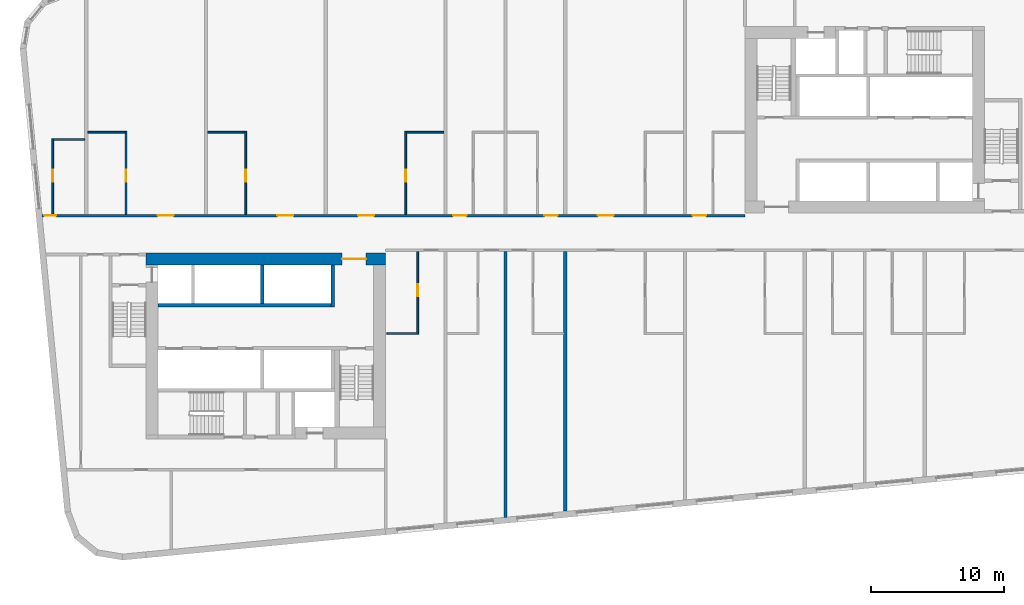
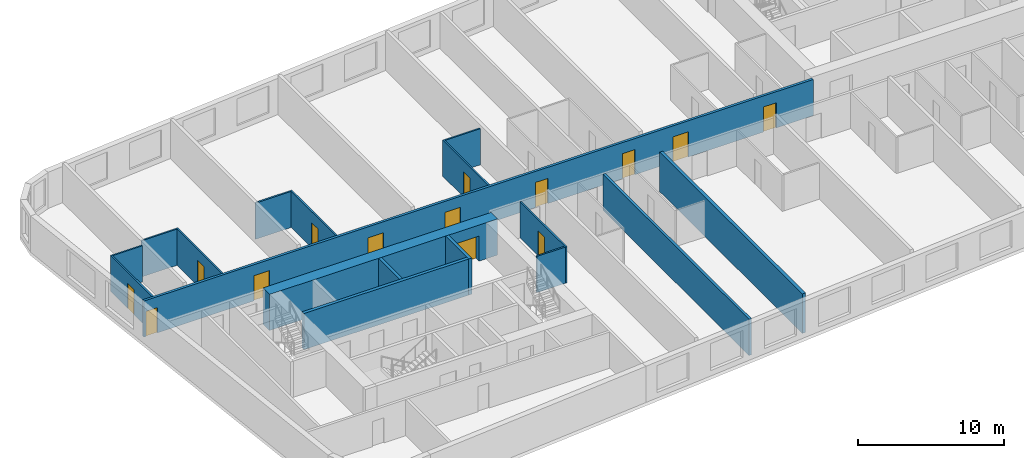
# One storey, part 3 of 12: 17 walls, 14 doors, 14 openings.
"""IFC4 building model written with IfcOpenShell, lengths in metres."""

import ifcopenshell
import ifcopenshell.guid

model = None  # the IFC model being written
_history = None  # IfcOwnerHistory: only IFC2X3 demands one
_inside = {}  # id of a spatial element -> (the spatial element, [elements in it])
_under = {}  # id of a project, library or spatial element -> (it, [spatial elements below it])
_declared = {}  # id of a project -> (the project, [libraries it declares])
_typed = {}  # id of a type object -> (the type object, [elements of that type])
_made_of = {}  # id of a material, layer set ... -> (it, [elements and type objects made of it])


def new_model(schema):
    """Start an empty IFC model of exactly this schema.

    Asked for "IFC4X3", IfcOpenShell would pick the latest addendum, in which some entities
    have other attributes; the version numbers below select the first issue.
    IFC2X3 requires an IfcOwnerHistory on every rooted entity: one is made here for all.
    """
    global model, _history
    if schema == "IFC4X3":
        model = ifcopenshell.file(schema_version=(4, 3, 0, 0))
    else:
        model = ifcopenshell.file(schema=schema)
    _inside.clear()
    _under.clear()
    _declared.clear()
    _typed.clear()
    _made_of.clear()
    _history = None
    if model.schema == "IFC2X3":
        org = make("IfcOrganization", Name="unknown")
        user = make(
            "IfcPersonAndOrganization",
            ThePerson=make("IfcPerson", FamilyName="unknown"),
            TheOrganization=org,
        )
        app = make(
            "IfcApplication",
            ApplicationDeveloper=org,
            Version="unknown",
            ApplicationFullName="unknown",
            ApplicationIdentifier="unknown",
        )
        _history = make(
            "IfcOwnerHistory",
            OwningUser=user,
            OwningApplication=app,
            ChangeAction="ADDED",
            CreationDate=0,
        )
    return model


def make(cls, **values):
    """One entity of the class cls with the attributes given. An attribute that is None is left unset."""
    return model.create_entity(
        cls, **{name: value for name, value in values.items() if value is not None}
    )


def rooted(cls, **values):
    """An entity with a GlobalId (a new one), such as an element, a storey or a relation."""
    return make(cls, GlobalId=ifcopenshell.guid.new(), OwnerHistory=_history, **values)


def si_unit(unit_type, name, prefix=None):
    """IfcSIUnit, for example si_unit("LENGTHUNIT", "METRE", prefix="MILLI")."""
    return make("IfcSIUnit", UnitType=unit_type, Prefix=prefix, Name=name)


def assignment(units):
    """IfcUnitAssignment: the units of a project."""
    return None if units is None else make("IfcUnitAssignment", Units=units)


def point(xyz):
    """IfcCartesianPoint."""
    return None if xyz is None else make("IfcCartesianPoint", Coordinates=xyz)


def direction(xyz):
    """IfcDirection."""
    return None if xyz is None else make("IfcDirection", DirectionRatios=xyz)


def frame(location, z_axis=None, x_axis=None):
    """IfcAxis2Placement3D, a coordinate frame: its origin and axes. An axis left out is left unset."""
    return make(
        "IfcAxis2Placement3D",
        Location=point(location),
        Axis=direction(z_axis),
        RefDirection=direction(x_axis),
    )


def frame_2d(location, x_axis=None):
    """IfcAxis2Placement2D, a coordinate frame in the plane: its origin and x axis."""
    return make(
        "IfcAxis2Placement2D", Location=point(location), RefDirection=direction(x_axis)
    )


def origin():
    """The frame at (0, 0, 0) with its axes left unset."""
    return frame((0.0, 0.0, 0.0))


def place(relative_to, where):
    """IfcLocalPlacement: puts the frame where relative to a parent placement (None: the world)."""
    return make(
        "IfcLocalPlacement", PlacementRelTo=relative_to, RelativePlacement=where
    )


def context(
    kind, dimensions, precision=None, world=None, true_north=None, identifier=None
):
    """IfcGeometricRepresentationContext, for example the 3D "Model" context."""
    return make(
        "IfcGeometricRepresentationContext",
        ContextIdentifier=identifier,
        ContextType=kind,
        CoordinateSpaceDimension=dimensions,
        Precision=precision,
        WorldCoordinateSystem=world,
        TrueNorth=true_north,
    )


def subcontext(parent, identifier, kind, view, scale=None):
    """IfcGeometricRepresentationSubContext, for example "Body" below "Model"."""
    return make(
        "IfcGeometricRepresentationSubContext",
        ContextIdentifier=identifier,
        ContextType=kind,
        ParentContext=parent,
        TargetScale=scale,
        TargetView=view,
    )


def project(units=None, contexts=None):
    """IfcProject with its units and contexts."""
    return rooted(
        "IfcProject",
        Name="project",
        RepresentationContexts=contexts,
        UnitsInContext=assignment(units),
    )


def spatial(cls, under=None, at=None, **own):
    """A site, building, storey or space (cls), placed at a placement, below another one or the project."""
    s = rooted(cls, ObjectPlacement=at, **own)
    if under is not None:
        _under.setdefault(under.id(), (under, []))[1].append(s)
    return s


def profile(cls, at=None, kind="AREA", **sizes):
    """A parametric profile (cls). Its sizes go by their IFC names, for example OverallWidth=200.0."""
    return make(cls, ProfileType=kind, Position=at, **sizes)


def rectangle(**sizes):
    """IfcRectangleProfileDef."""
    return profile("IfcRectangleProfileDef", **sizes)


def extrude(swept, where, along, depth):
    """IfcExtrudedAreaSolid: the profile swept, set in the frame where, extruded along a direction by depth."""
    return make(
        "IfcExtrudedAreaSolid",
        SweptArea=swept,
        Position=where,
        ExtrudedDirection=direction(along),
        Depth=depth,
    )


def shape(context_of_items, identifier, shape_type, items):
    """IfcShapeRepresentation: the items that make up one representation, for example the "Body"."""
    return make(
        "IfcShapeRepresentation",
        ContextOfItems=context_of_items,
        RepresentationIdentifier=identifier,
        RepresentationType=shape_type,
        Items=items,
    )


def material(Name=None, Category=None):
    """IfcMaterial."""
    return make("IfcMaterial", Name=Name, Category=Category)


def layer(
    of_material, thickness, ventilated=None, Name=None, Category=None, Priority=None
):
    """IfcMaterialLayer: one layer of a wall or slab, of a material (None: an air gap)."""
    return make(
        "IfcMaterialLayer",
        Material=of_material,
        LayerThickness=thickness,
        IsVentilated=ventilated,
        Name=Name,
        Category=Category,
        Priority=Priority,
    )


def layer_set(layers, Name=None):
    """IfcMaterialLayerSet."""
    return make("IfcMaterialLayerSet", MaterialLayers=layers, LayerSetName=Name)


def made_of(thing, what):
    """Note that an element or type object is made of a material, layer set ...; save() writes the relation."""
    if what is not None:
        _made_of.setdefault(what.id(), (what, []))[1].append(thing)
    return thing


def type_object(cls, material=None, **own):
    """A type object (cls), such as IfcWallType, which elements share."""
    return made_of(rooted(cls, **own), material)


def element(
    cls,
    number,
    at=None,
    inside=None,
    cuts=None,
    type_object=None,
    material=None,
    context=None,
    identifier="Body",
    shape_type=None,
    held_by="IfcProductDefinitionShape",
    body=None,
    shapes=None,
    **own,
):
    """One element of the class cls, such as IfcWall. Its Tag is "e" and its number.

    at: its placement. inside: the storey or other place that contains it. cuts: it is an
    opening in that element (IfcRelVoidsElement). A single representation is given by context,
    identifier, shape_type and body (its items); several are given by shapes. held_by: the class
    of the entity that holds the representations. save() writes the other relations.
    """
    e = rooted(cls, Tag="e%d" % number, ObjectPlacement=at, **own)
    if body is not None:
        shapes = [shape(context, identifier, shape_type, body)]
    if shapes is not None:
        e.Representation = make(held_by, Representations=shapes)
    if inside is not None:
        _inside.setdefault(inside.id(), (inside, []))[1].append(e)
    if cuts is not None:
        rooted(
            "IfcRelVoidsElement", RelatingBuildingElement=cuts, RelatedOpeningElement=e
        )
    if type_object is not None:
        _typed.setdefault(type_object.id(), (type_object, []))[1].append(e)
    return made_of(e, material)


def fill(opening, filler):
    """IfcRelFillsElement: the door or window that sits in an opening."""
    return rooted(
        "IfcRelFillsElement",
        RelatingOpeningElement=opening,
        RelatedBuildingElement=filler,
    )


def aggregate(whole, parts):
    """IfcRelAggregates: a whole, such as a stair, and the parts it consists of."""
    return rooted("IfcRelAggregates", RelatingObject=whole, RelatedObjects=parts)


def save(model, path):
    """Write the relations noted so far, then the file.

    IfcRelAggregates (storeys below a building ...), IfcRelContainedInSpatialStructure (elements
    in a storey), IfcRelDefinesByType, IfcRelAssociatesMaterial and IfcRelDeclares: one each for
    every whole, place, type object, material and project.
    """
    for whole, parts in _under.values():
        aggregate(whole, parts)
    for where, things in _inside.values():
        rooted(
            "IfcRelContainedInSpatialStructure",
            RelatedElements=things,
            RelatingStructure=where,
        )
    for kind, things in _typed.values():
        rooted("IfcRelDefinesByType", RelatedObjects=things, RelatingType=kind)
    for what, things in _made_of.values():
        rooted("IfcRelAssociatesMaterial", RelatedObjects=things, RelatingMaterial=what)
    for by, libraries in _declared.values():
        rooted("IfcRelDeclares", RelatingContext=by, RelatedDefinitions=libraries)
    model.write(path)


model = new_model("IFC4")

# Units and contexts
model_context = context("Model", 3, precision=1e-05, world=origin(), true_north=direction((0.0, 1.0)))
body_context = subcontext(model_context, "Body", "Model", "MODEL_VIEW")
ifc_project = project(units=[si_unit("LENGTHUNIT", "METRE"), si_unit("AREAUNIT", "SQUARE_METRE"), si_unit("VOLUMEUNIT", "CUBIC_METRE"), si_unit("PLANEANGLEUNIT", "RADIAN"), si_unit("MASSUNIT", "GRAM", prefix="KILO")], contexts=[model_context])

# Site, building, storey
site_placement = place(None, origin())
site = spatial("IfcSite", under=ifc_project, at=site_placement, CompositionType="ELEMENT")
building_placement = place(site_placement, origin())
building = spatial("IfcBuilding", under=site, at=building_placement, Name="Kajstack Hotel Tower", CompositionType="ELEMENT")
storey_placement = place(building_placement, frame((0.0, 0.0, 137.199951171875)))
storey = spatial("IfcBuildingStorey", under=building, at=storey_placement, Name="L31", CompositionType="ELEMENT", Elevation=137.199951171875)

# Wall, opening, door
ifc_material_1 = material(Name="Concrete C60/75", Category="concrete")
ifc_layer_1 = layer(ifc_material_1, 0.89990234375)
ifc_layer_set_1 = layer_set([ifc_layer_1], Name="Core wall 900")
wall_type_1 = type_object("IfcWallType", Name="Core wall 900", PredefinedType="SHEAR", material=ifc_layer_set_1)
wall_1_placement = place(storey_placement, frame((-31.5, -1.949951171875, 0.0), z_axis=(0.0, 0.0, 1.0), x_axis=(1.0, 0.0, 0.0)))
wall_1 = element("IfcWall", 1, at=wall_1_placement, inside=storey, type_object=wall_type_1, Name="Core wall W RN", PredefinedType="SHEAR", context=body_context, shape_type="SweptSolid", body=[
    extrude(rectangle(XDim=18.0, YDim=0.89990234375, at=frame_2d((9.0, 0.0))), origin(), (0.0, 0.0, 1.0), 3.02001953125),
])
opening_1_placement = place(wall_1_placement, frame((14.72509765625, 0.0, 0.0)))
opening_1 = element("IfcOpeningElement", 2, at=opening_1_placement, cuts=wall_1, Name="Opening 31W06", PredefinedType="OPENING", context=body_context, shape_type="SweptSolid", body=[
    extrude(rectangle(XDim=1.800048828125, YDim=2.10009765625, at=frame_2d((0.89990234375, 1.050048828125))), frame((0.0, 0.4599609375, 0.0), z_axis=(0.0, -1.0, 0.0), x_axis=(1.0, 0.0, 0.0)), (0.0, 0.0, 1.0), 0.919921875),
])
ifc_material_2 = material(Name="Glazed steel frame, fire-rated glass", Category="steel")
door_type_1 = type_object("IfcDoorType", Name="Lobby double door 1800", OperationType="DOUBLE_DOOR_DOUBLE_SWING", PredefinedType="DOOR", material=ifc_material_2)
door_1_placement = place(opening_1_placement, origin())
door_1 = element("IfcDoor", 3, at=door_1_placement, inside=storey, type_object=door_type_1, Name="Door 31W06", OperationType="DOUBLE_DOOR_DOUBLE_SWING", OverallHeight=2.10009765625, OverallWidth=1.800048828125, PredefinedType="DOOR", context=body_context, shape_type="SweptSolid", body=[
    extrude(rectangle(XDim=1.800048828125, YDim=2.10009765625, at=frame_2d((0.89990234375, 1.050048828125))), frame((0.0, 0.02490234375, 0.0), z_axis=(0.0, -1.0, 0.0), x_axis=(1.0, 0.0, 0.0)), (0.0, 0.0, 1.0), 0.050048828125),
])
fill(opening_1, door_1)

# Wall, openings, doors
ifc_material_3 = material(Name="Gypsum board on steel studs, mineral wool", Category="steel")
ifc_layer_2 = layer(ifc_material_3, 0.199951171875)
ifc_layer_set_2 = layer_set([ifc_layer_2], Name="Corridor wall 200")
wall_type_2 = type_object("IfcWallType", Name="Corridor wall 200", PredefinedType="PARTITIONING", material=ifc_layer_set_2)
wall_2_placement = place(storey_placement, frame((-39.31591796875, 1.300048828125, 0.0), z_axis=(0.0, 0.0, 1.0), x_axis=(1.0, 0.0, 0.0)))
wall_2 = element("IfcWall", 4, at=wall_2_placement, inside=storey, type_object=wall_type_2, Name="G-wall-L31-003", PredefinedType="PARTITIONING", context=body_context, shape_type="SweptSolid", body=[
    extrude(rectangle(XDim=52.81591796875, YDim=0.199951171875, at=frame_2d((26.407958984375, 0.0))), origin(), (0.0, 0.0, 1.0), 3.02001953125),
])
opening_2_placement = place(wall_2_placement, frame((0.14990234375, 0.0, 0.0)))
opening_2 = element("IfcOpeningElement", 5, at=opening_2_placement, cuts=wall_2, Name="Opening 31001", PredefinedType="OPENING", context=body_context, shape_type="SweptSolid", body=[
    extrude(rectangle(XDim=0.89990234375, YDim=2.10009765625, at=frame_2d((0.449951171875, 1.050048828125))), frame((0.0, 0.10986328125, 0.0), z_axis=(0.0, -1.0, 0.0), x_axis=(1.0, 0.0, 0.0)), (0.0, 0.0, 1.0), 0.219970703125),
])
opening_3_placement = place(wall_2_placement, frame((8.678955078125, 0.0, 0.0)))
opening_3 = element("IfcOpeningElement", 6, at=opening_3_placement, cuts=wall_2, Name="Opening 31003", PredefinedType="OPENING", context=body_context, shape_type="SweptSolid", body=[
    extrude(rectangle(XDim=1.199951171875, YDim=2.10009765625, at=frame_2d((0.60009765625, 1.050048828125))), frame((0.0, 0.10986328125, 0.0), z_axis=(0.0, -1.0, 0.0), x_axis=(1.0, 0.0, 0.0)), (0.0, 0.0, 1.0), 0.219970703125),
])
opening_4_placement = place(wall_2_placement, frame((17.677978515625, 0.0, 0.0)))
opening_4 = element("IfcOpeningElement", 7, at=opening_4_placement, cuts=wall_2, Name="Opening 31005", PredefinedType="OPENING", context=body_context, shape_type="SweptSolid", body=[
    extrude(rectangle(XDim=1.199951171875, YDim=2.10009765625, at=frame_2d((0.60009765625, 1.050048828125))), frame((0.0, 0.10986328125, 0.0), z_axis=(0.0, -1.0, 0.0), x_axis=(1.0, 0.0, 0.0)), (0.0, 0.0, 1.0), 0.219970703125),
])
opening_5_placement = place(wall_2_placement, frame((23.75390625, 0.0, 0.0)))
opening_5 = element("IfcOpeningElement", 8, at=opening_5_placement, cuts=wall_2, Name="Opening 31007", PredefinedType="OPENING", context=body_context, shape_type="SweptSolid", body=[
    extrude(rectangle(XDim=1.199951171875, YDim=2.10009765625, at=frame_2d((0.60009765625, 1.050048828125))), frame((0.0, 0.10986328125, 0.0), z_axis=(0.0, -1.0, 0.0), x_axis=(1.0, 0.0, 0.0)), (0.0, 0.0, 1.0), 0.219970703125),
])
opening_6_placement = place(wall_2_placement, frame((30.89111328125, 0.0, 0.0)))
opening_6 = element("IfcOpeningElement", 9, at=opening_6_placement, cuts=wall_2, Name="Opening 31009", PredefinedType="OPENING", context=body_context, shape_type="SweptSolid", body=[
    extrude(rectangle(XDim=1.0, YDim=2.10009765625, at=frame_2d((0.5, 1.050048828125))), frame((0.0, 0.10986328125, 0.0), z_axis=(0.0, -1.0, 0.0), x_axis=(1.0, 0.0, 0.0)), (0.0, 0.0, 1.0), 0.219970703125),
])
opening_7_placement = place(wall_2_placement, frame((37.740966796875, 0.0, 0.0)))
opening_7 = element("IfcOpeningElement", 10, at=opening_7_placement, cuts=wall_2, Name="Opening 31011", PredefinedType="OPENING", context=body_context, shape_type="SweptSolid", body=[
    extrude(rectangle(XDim=1.0, YDim=2.10009765625, at=frame_2d((0.5, 1.050048828125))), frame((0.0, 0.10986328125, 0.0), z_axis=(0.0, -1.0, 0.0), x_axis=(1.0, 0.0, 0.0)), (0.0, 0.0, 1.0), 0.219970703125),
])
opening_8_placement = place(wall_2_placement, frame((41.75390625, 0.0, 0.0)))
opening_8 = element("IfcOpeningElement", 11, at=opening_8_placement, cuts=wall_2, Name="Opening 31013", PredefinedType="OPENING", context=body_context, shape_type="SweptSolid", body=[
    extrude(rectangle(XDim=1.199951171875, YDim=2.10009765625, at=frame_2d((0.60009765625, 1.050048828125))), frame((0.0, 0.10986328125, 0.0), z_axis=(0.0, -1.0, 0.0), x_axis=(1.0, 0.0, 0.0)), (0.0, 0.0, 1.0), 0.219970703125),
])
opening_9_placement = place(wall_2_placement, frame((48.89111328125, 0.0, 0.0)))
opening_9 = element("IfcOpeningElement", 12, at=opening_9_placement, cuts=wall_2, Name="Opening 31015", PredefinedType="OPENING", context=body_context, shape_type="SweptSolid", body=[
    extrude(rectangle(XDim=1.0, YDim=2.10009765625, at=frame_2d((0.5, 1.050048828125))), frame((0.0, 0.10986328125, 0.0), z_axis=(0.0, -1.0, 0.0), x_axis=(1.0, 0.0, 0.0)), (0.0, 0.0, 1.0), 0.219970703125),
])
ifc_material_4 = material(Name="Oak veneer on timber core, fire-rated leaf", Category="wood")
door_type_2 = type_object("IfcDoorType", Name="Flat entrance door 1000", OperationType="SINGLE_SWING_LEFT", PredefinedType="DOOR", material=ifc_material_4)
door_2_placement = place(opening_6_placement, origin())
door_2 = element("IfcDoor", 13, at=door_2_placement, inside=storey, type_object=door_type_2, Name="G-door-L31-09", OperationType="SINGLE_SWING_LEFT", OverallHeight=2.10009765625, OverallWidth=1.0, PredefinedType="DOOR", context=body_context, shape_type="SweptSolid", body=[
    extrude(rectangle(XDim=1.0, YDim=2.10009765625, at=frame_2d((0.5, 1.050048828125))), frame((0.0, 0.02490234375, 0.0), z_axis=(0.0, -1.0, 0.0), x_axis=(1.0, 0.0, 0.0)), (0.0, 0.0, 1.0), 0.050048828125),
])
fill(opening_6, door_2)
door_3_placement = place(opening_7_placement, origin())
door_3 = element("IfcDoor", 14, at=door_3_placement, inside=storey, type_object=door_type_2, Name="G-door-L31-11", OperationType="SINGLE_SWING_RIGHT", OverallHeight=2.10009765625, OverallWidth=1.0, PredefinedType="DOOR", context=body_context, shape_type="SweptSolid", body=[
    extrude(rectangle(XDim=1.0, YDim=2.10009765625, at=frame_2d((0.5, 1.050048828125))), frame((0.0, 0.02490234375, 0.0), z_axis=(0.0, -1.0, 0.0), x_axis=(1.0, 0.0, 0.0)), (0.0, 0.0, 1.0), 0.050048828125),
])
fill(opening_7, door_3)
door_4_placement = place(opening_9_placement, origin())
door_4 = element("IfcDoor", 15, at=door_4_placement, inside=storey, type_object=door_type_2, Name="G-door-L31-15", OperationType="SINGLE_SWING_RIGHT", OverallHeight=2.10009765625, OverallWidth=1.0, PredefinedType="DOOR", context=body_context, shape_type="SweptSolid", body=[
    extrude(rectangle(XDim=1.0, YDim=2.10009765625, at=frame_2d((0.5, 1.050048828125))), frame((0.0, 0.02490234375, 0.0), z_axis=(0.0, -1.0, 0.0), x_axis=(1.0, 0.0, 0.0)), (0.0, 0.0, 1.0), 0.050048828125),
])
fill(opening_9, door_4)
door_type_3 = type_object("IfcDoorType", Name="Flat entrance door 1200", OperationType="SINGLE_SWING_LEFT", PredefinedType="DOOR", material=ifc_material_4)
door_5_placement = place(opening_3_placement, origin())
door_5 = element("IfcDoor", 16, at=door_5_placement, inside=storey, type_object=door_type_3, Name="G-door-L31-03", OperationType="SINGLE_SWING_LEFT", OverallHeight=2.10009765625, OverallWidth=1.199951171875, PredefinedType="DOOR", context=body_context, shape_type="SweptSolid", body=[
    extrude(rectangle(XDim=1.199951171875, YDim=2.10009765625, at=frame_2d((0.60009765625, 1.050048828125))), frame((0.0, 0.02490234375, 0.0), z_axis=(0.0, -1.0, 0.0), x_axis=(1.0, 0.0, 0.0)), (0.0, 0.0, 1.0), 0.050048828125),
])
fill(opening_3, door_5)
door_6_placement = place(opening_4_placement, origin())
door_6 = element("IfcDoor", 17, at=door_6_placement, inside=storey, type_object=door_type_3, Name="G-door-L31-05", OperationType="SINGLE_SWING_RIGHT", OverallHeight=2.10009765625, OverallWidth=1.199951171875, PredefinedType="DOOR", context=body_context, shape_type="SweptSolid", body=[
    extrude(rectangle(XDim=1.199951171875, YDim=2.10009765625, at=frame_2d((0.60009765625, 1.050048828125))), frame((0.0, 0.02490234375, 0.0), z_axis=(0.0, -1.0, 0.0), x_axis=(1.0, 0.0, 0.0)), (0.0, 0.0, 1.0), 0.050048828125),
])
fill(opening_4, door_6)
door_7_placement = place(opening_5_placement, origin())
door_7 = element("IfcDoor", 18, at=door_7_placement, inside=storey, type_object=door_type_3, Name="G-door-L31-07", OperationType="SINGLE_SWING_RIGHT", OverallHeight=2.10009765625, OverallWidth=1.199951171875, PredefinedType="DOOR", context=body_context, shape_type="SweptSolid", body=[
    extrude(rectangle(XDim=1.199951171875, YDim=2.10009765625, at=frame_2d((0.60009765625, 1.050048828125))), frame((0.0, 0.02490234375, 0.0), z_axis=(0.0, -1.0, 0.0), x_axis=(1.0, 0.0, 0.0)), (0.0, 0.0, 1.0), 0.050048828125),
])
fill(opening_5, door_7)
door_8_placement = place(opening_8_placement, origin())
door_8 = element("IfcDoor", 19, at=door_8_placement, inside=storey, type_object=door_type_3, Name="G-door-L31-13", OperationType="SINGLE_SWING_LEFT", OverallHeight=2.10009765625, OverallWidth=1.199951171875, PredefinedType="DOOR", context=body_context, shape_type="SweptSolid", body=[
    extrude(rectangle(XDim=1.199951171875, YDim=2.10009765625, at=frame_2d((0.60009765625, 1.050048828125))), frame((0.0, 0.02490234375, 0.0), z_axis=(0.0, -1.0, 0.0), x_axis=(1.0, 0.0, 0.0)), (0.0, 0.0, 1.0), 0.050048828125),
])
fill(opening_8, door_8)
ifc_material_5 = material(Name="Painted timber door leaf", Category="wood")
door_type_4 = type_object("IfcDoorType", Name="Room door 900", OperationType="SINGLE_SWING_LEFT", PredefinedType="DOOR", material=ifc_material_5)
door_9_placement = place(opening_2_placement, origin())
door_9 = element("IfcDoor", 20, at=door_9_placement, inside=storey, type_object=door_type_4, Name="G-door-L31-01", OperationType="SINGLE_SWING_RIGHT", OverallHeight=2.10009765625, OverallWidth=0.89990234375, PredefinedType="DOOR", context=body_context, shape_type="SweptSolid", body=[
    extrude(rectangle(XDim=0.89990234375, YDim=2.10009765625, at=frame_2d((0.449951171875, 1.050048828125))), frame((0.0, 0.02490234375, 0.0), z_axis=(0.0, -1.0, 0.0), x_axis=(1.0, 0.0, 0.0)), (0.0, 0.0, 1.0), 0.050048828125),
])
fill(opening_2, door_9)

# Wall
ifc_material_6 = material(Name="Twin-frame gypsum board on steel studs, mineral wool", Category="steel")
ifc_layer_3 = layer(ifc_material_6, 0.199951171875)
ifc_layer_set_3 = layer_set([ifc_layer_3], Name="Demising wall 200")
wall_type_3 = type_object("IfcWallType", Name="Demising wall 200", PredefinedType="PARTITIONING", material=ifc_layer_set_3)
wall_3_placement = place(storey_placement, frame((-4.5, -21.365966796875, 0.0), z_axis=(0.0, 0.0, 1.0), x_axis=(0.0, 1.0, 0.0)))
element("IfcWall", 21, at=wall_3_placement, inside=storey, type_object=wall_type_3, Name="G-wall-L31-024", PredefinedType="PARTITIONING", context=body_context, shape_type="SweptSolid", body=[
    extrude(rectangle(XDim=19.966064453125, YDim=0.199951171875, at=frame_2d((9.98291015625, 0.0))), origin(), (0.0, 0.0, 1.0), 3.02001953125),
])

# Wall, opening, door
ifc_material_7 = material(Name="Gypsum board and tiled backer on steel studs", Category="steel")
ifc_layer_4 = layer(ifc_material_7, 0.125)
ifc_layer_set_4 = layer_set([ifc_layer_4], Name="En-suite wall 125")
wall_type_4 = type_object("IfcWallType", Name="En-suite wall 125", PredefinedType="PARTITIONING", material=ifc_layer_set_4)
wall_4_placement = place(storey_placement, frame((-38.51904296875, 1.39990234375, 0.0), z_axis=(0.0, 0.0, 1.0), x_axis=(0.0, 1.0, 0.0)))
wall_4 = element("IfcWall", 22, at=wall_4_placement, inside=storey, type_object=wall_type_4, Name="G-wall-L31-004", PredefinedType="PARTITIONING", context=body_context, shape_type="SweptSolid", body=[
    extrude(rectangle(XDim=5.68408203125, YDim=0.125, at=frame_2d((2.842041015625, 0.0))), origin(), (0.0, 0.0, 1.0), 3.02001953125),
])
opening_10_placement = place(wall_4_placement, frame((2.449951171875, 0.0, 0.0)))
opening_10 = element("IfcOpeningElement", 23, at=opening_10_placement, cuts=wall_4, Name="Opening 31002", PredefinedType="OPENING", context=body_context, shape_type="SweptSolid", body=[
    extrude(rectangle(XDim=0.89990234375, YDim=2.10009765625, at=frame_2d((0.449951171875, 1.050048828125))), frame((0.0, 0.072509765625, 0.0), z_axis=(0.0, -1.0, 0.0), x_axis=(1.0, 0.0, 0.0)), (0.0, 0.0, 1.0), 0.14501953125),
])
door_10_placement = place(opening_10_placement, origin())
door_10 = element("IfcDoor", 24, at=door_10_placement, inside=storey, type_object=door_type_4, Name="G-door-L31-02", OperationType="SINGLE_SWING_RIGHT", OverallHeight=2.10009765625, OverallWidth=0.89990234375, PredefinedType="DOOR", context=body_context, shape_type="SweptSolid", body=[
    extrude(rectangle(XDim=0.89990234375, YDim=2.10009765625, at=frame_2d((0.449951171875, 1.050048828125))), frame((0.0, 0.02490234375, 0.0), z_axis=(0.0, -1.0, 0.0), x_axis=(1.0, 0.0, 0.0)), (0.0, 0.0, 1.0), 0.050048828125),
])
fill(opening_10, door_10)

# Wall
wall_5_placement = place(storey_placement, frame((-38.45703125, 7.02197265625, 0.0), z_axis=(0.0, 0.0, 1.0), x_axis=(1.0, 0.0, 0.0)))
element("IfcWall", 25, at=wall_5_placement, inside=storey, type_object=wall_type_4, Name="G-wall-L31-005", PredefinedType="PARTITIONING", context=body_context, shape_type="SweptSolid", body=[
    extrude(rectangle(XDim=2.33203125, YDim=0.125, at=frame_2d((1.166015625, 0.0))), origin(), (0.0, 0.0, 1.0), 3.02001953125),
])

# Wall, opening, door
wall_6_placement = place(storey_placement, frame((-33.012939453125, 1.39990234375, 0.0), z_axis=(0.0, 0.0, 1.0), x_axis=(0.0, 1.0, 0.0)))
wall_6 = element("IfcWall", 26, at=wall_6_placement, inside=storey, type_object=wall_type_4, Name="G-wall-L31-006", PredefinedType="PARTITIONING", context=body_context, shape_type="SweptSolid", body=[
    extrude(rectangle(XDim=6.22509765625, YDim=0.125, at=frame_2d((3.112548828125, 0.0))), origin(), (0.0, 0.0, 1.0), 3.02001953125),
])
opening_11_placement = place(wall_6_placement, frame((2.449951171875, 0.0, 0.0)))
opening_11 = element("IfcOpeningElement", 27, at=opening_11_placement, cuts=wall_6, Name="Opening 31004", PredefinedType="OPENING", context=body_context, shape_type="SweptSolid", body=[
    extrude(rectangle(XDim=0.89990234375, YDim=2.10009765625, at=frame_2d((0.449951171875, 1.050048828125))), frame((0.0, 0.072509765625, 0.0), z_axis=(0.0, -1.0, 0.0), x_axis=(1.0, 0.0, 0.0)), (0.0, 0.0, 1.0), 0.14501953125),
])
door_11_placement = place(opening_11_placement, origin())
door_11 = element("IfcDoor", 28, at=door_11_placement, inside=storey, type_object=door_type_4, Name="G-door-L31-04", OperationType="SINGLE_SWING_RIGHT", OverallHeight=2.10009765625, OverallWidth=0.89990234375, PredefinedType="DOOR", context=body_context, shape_type="SweptSolid", body=[
    extrude(rectangle(XDim=0.89990234375, YDim=2.10009765625, at=frame_2d((0.449951171875, 1.050048828125))), frame((0.0, 0.02490234375, 0.0), z_axis=(0.0, -1.0, 0.0), x_axis=(1.0, 0.0, 0.0)), (0.0, 0.0, 1.0), 0.050048828125),
])
fill(opening_11, door_11)

# Wall
wall_7_placement = place(storey_placement, frame((-35.875, 7.56201171875, 0.0), z_axis=(0.0, 0.0, 1.0), x_axis=(1.0, 0.0, 0.0)))
element("IfcWall", 29, at=wall_7_placement, inside=storey, type_object=wall_type_4, Name="G-wall-L31-007", PredefinedType="PARTITIONING", context=body_context, shape_type="SweptSolid", body=[
    extrude(rectangle(XDim=2.800048828125, YDim=0.125, at=frame_2d((1.39990234375, 0.0))), origin(), (0.0, 0.0, 1.0), 3.02001953125),
])

# Wall, opening, door
wall_8_placement = place(storey_placement, frame((-24.011962890625, 1.39990234375, 0.0), z_axis=(0.0, 0.0, 1.0), x_axis=(0.0, 1.0, 0.0)))
wall_8 = element("IfcWall", 30, at=wall_8_placement, inside=storey, type_object=wall_type_4, Name="G-wall-L31-008", PredefinedType="PARTITIONING", context=body_context, shape_type="SweptSolid", body=[
    extrude(rectangle(XDim=6.22509765625, YDim=0.125, at=frame_2d((3.112548828125, 0.0))), origin(), (0.0, 0.0, 1.0), 3.02001953125),
])
opening_12_placement = place(wall_8_placement, frame((2.449951171875, 0.0, 0.0)))
opening_12 = element("IfcOpeningElement", 31, at=opening_12_placement, cuts=wall_8, Name="Opening 31006", PredefinedType="OPENING", context=body_context, shape_type="SweptSolid", body=[
    extrude(rectangle(XDim=0.89990234375, YDim=2.10009765625, at=frame_2d((0.449951171875, 1.050048828125))), frame((0.0, 0.072509765625, 0.0), z_axis=(0.0, -1.0, 0.0), x_axis=(1.0, 0.0, 0.0)), (0.0, 0.0, 1.0), 0.14501953125),
])
door_12_placement = place(opening_12_placement, origin())
door_12 = element("IfcDoor", 32, at=door_12_placement, inside=storey, type_object=door_type_4, Name="G-door-L31-06", OperationType="SINGLE_SWING_RIGHT", OverallHeight=2.10009765625, OverallWidth=0.89990234375, PredefinedType="DOOR", context=body_context, shape_type="SweptSolid", body=[
    extrude(rectangle(XDim=0.89990234375, YDim=2.10009765625, at=frame_2d((0.449951171875, 1.050048828125))), frame((0.0, 0.02490234375, 0.0), z_axis=(0.0, -1.0, 0.0), x_axis=(1.0, 0.0, 0.0)), (0.0, 0.0, 1.0), 0.050048828125),
])
fill(opening_12, door_12)

# Wall
wall_9_placement = place(storey_placement, frame((-26.875, 7.56201171875, 0.0), z_axis=(0.0, 0.0, 1.0), x_axis=(1.0, 0.0, 0.0)))
element("IfcWall", 33, at=wall_9_placement, inside=storey, type_object=wall_type_4, Name="G-wall-L31-009", PredefinedType="PARTITIONING", context=body_context, shape_type="SweptSolid", body=[
    extrude(rectangle(XDim=2.800048828125, YDim=0.125, at=frame_2d((1.39990234375, 0.0))), origin(), (0.0, 0.0, 1.0), 3.02001953125),
])

# Wall, opening, door
wall_10_placement = place(storey_placement, frame((-11.988037109375, 1.39990234375, 0.0), z_axis=(0.0, 0.0, 1.0), x_axis=(0.0, 1.0, 0.0)))
wall_10 = element("IfcWall", 34, at=wall_10_placement, inside=storey, type_object=wall_type_4, Name="G-wall-L31-010", PredefinedType="PARTITIONING", context=body_context, shape_type="SweptSolid", body=[
    extrude(rectangle(XDim=6.22509765625, YDim=0.125, at=frame_2d((3.112548828125, 0.0))), origin(), (0.0, 0.0, 1.0), 3.02001953125),
])
opening_13_placement = place(wall_10_placement, frame((2.449951171875, 0.0, 0.0)))
opening_13 = element("IfcOpeningElement", 35, at=opening_13_placement, cuts=wall_10, Name="Opening 31008", PredefinedType="OPENING", context=body_context, shape_type="SweptSolid", body=[
    extrude(rectangle(XDim=0.89990234375, YDim=2.10009765625, at=frame_2d((0.449951171875, 1.050048828125))), frame((0.0, 0.072509765625, 0.0), z_axis=(0.0, -1.0, 0.0), x_axis=(1.0, 0.0, 0.0)), (0.0, 0.0, 1.0), 0.14501953125),
])
door_13_placement = place(opening_13_placement, origin())
door_13 = element("IfcDoor", 36, at=door_13_placement, inside=storey, type_object=door_type_4, Name="G-door-L31-08", OperationType="SINGLE_SWING_LEFT", OverallHeight=2.10009765625, OverallWidth=0.89990234375, PredefinedType="DOOR", context=body_context, shape_type="SweptSolid", body=[
    extrude(rectangle(XDim=0.89990234375, YDim=2.10009765625, at=frame_2d((0.449951171875, 1.050048828125))), frame((0.0, 0.02490234375, 0.0), z_axis=(0.0, -1.0, 0.0), x_axis=(1.0, 0.0, 0.0)), (0.0, 0.0, 1.0), 0.050048828125),
])
fill(opening_13, door_13)

# Wall
wall_11_placement = place(storey_placement, frame((-11.925048828125, 7.56201171875, 0.0), z_axis=(0.0, 0.0, 1.0), x_axis=(1.0, 0.0, 0.0)))
element("IfcWall", 37, at=wall_11_placement, inside=storey, type_object=wall_type_4, Name="G-wall-L31-011", PredefinedType="PARTITIONING", context=body_context, shape_type="SweptSolid", body=[
    extrude(rectangle(XDim=2.800048828125, YDim=0.125, at=frame_2d((1.39990234375, 0.0))), origin(), (0.0, 0.0, 1.0), 3.02001953125),
])

# Wall, opening, door
wall_12_placement = place(storey_placement, frame((-11.087890625, -7.625, 0.0), z_axis=(0.0, 0.0, 1.0), x_axis=(0.0, 1.0, 0.0)))
wall_12 = element("IfcWall", 38, at=wall_12_placement, inside=storey, type_object=wall_type_4, Name="G-wall-L31-022", PredefinedType="PARTITIONING", context=body_context, shape_type="SweptSolid", body=[
    extrude(rectangle(XDim=6.22509765625, YDim=0.125, at=frame_2d((3.112548828125, 0.0))), origin(), (0.0, 0.0, 1.0), 3.02001953125),
])
opening_14_placement = place(wall_12_placement, frame((2.875, 0.0, 0.0)))
opening_14 = element("IfcOpeningElement", 39, at=opening_14_placement, cuts=wall_12, Name="Opening 31018", PredefinedType="OPENING", context=body_context, shape_type="SweptSolid", body=[
    extrude(rectangle(XDim=0.89990234375, YDim=2.10009765625, at=frame_2d((0.449951171875, 1.050048828125))), frame((0.0, 0.072509765625, 0.0), z_axis=(0.0, -1.0, 0.0), x_axis=(1.0, 0.0, 0.0)), (0.0, 0.0, 1.0), 0.14501953125),
])
door_14_placement = place(opening_14_placement, origin())
door_14 = element("IfcDoor", 40, at=door_14_placement, inside=storey, type_object=door_type_4, Name="G-door-L31-18", OperationType="SINGLE_SWING_LEFT", OverallHeight=2.10009765625, OverallWidth=0.89990234375, PredefinedType="DOOR", context=body_context, shape_type="SweptSolid", body=[
    extrude(rectangle(XDim=0.89990234375, YDim=2.10009765625, at=frame_2d((0.449951171875, 1.050048828125))), frame((0.0, 0.02490234375, 0.0), z_axis=(0.0, -1.0, 0.0), x_axis=(1.0, 0.0, 0.0)), (0.0, 0.0, 1.0), 0.050048828125),
])
fill(opening_14, door_14)

# Walls
wall_13_placement = place(storey_placement, frame((-13.39990234375, -7.56201171875, 0.0), z_axis=(0.0, 0.0, 1.0), x_axis=(1.0, 0.0, 0.0)))
element("IfcWall", 41, at=wall_13_placement, inside=storey, type_object=wall_type_4, Name="G-wall-L31-023", PredefinedType="PARTITIONING", context=body_context, shape_type="SweptSolid", body=[
    extrude(rectangle(XDim=2.25, YDim=0.125, at=frame_2d((1.125, 0.0))), origin(), (0.0, 0.0, 1.0), 3.02001953125),
])
ifc_material_8 = material(Name="Concrete C50/60", Category="concrete")
ifc_layer_5 = layer(ifc_material_8, 0.300048828125)
ifc_layer_set_5 = layer_set([ifc_layer_5], Name="Hoistway divider wall 300")
wall_type_5 = type_object("IfcWallType", Name="Hoistway divider wall 300", PredefinedType="SHEAR", material=ifc_layer_set_5)
wall_14_placement = place(storey_placement, frame((-22.77490234375, -5.300048828125, 0.0), z_axis=(0.0, 0.0, 1.0), x_axis=(0.0, 1.0, 0.0)))
element("IfcWall", 42, at=wall_14_placement, inside=storey, type_object=wall_type_5, Name="Core wall W AP2", PredefinedType="SHEAR", context=body_context, shape_type="SweptSolid", body=[
    extrude(rectangle(XDim=2.900146484375, YDim=0.25, at=frame_2d((1.4501953125, 0.0))), origin(), (0.0, 0.0, 1.0), 3.02001953125),
])
ifc_material_9 = material(Name="Concrete C55/67", Category="concrete")
ifc_layer_6 = layer(ifc_material_9, 0.25)
ifc_layer_set_6 = layer_set([ifc_layer_6], Name="RC cross wall 250 C55/67")
wall_type_6 = type_object("IfcWallType", Name="RC cross wall 250 C55/67", PredefinedType="SHEAR", material=ifc_layer_set_6)
wall_15_placement = place(storey_placement, frame((0.0, -20.910400390625, 0.0), z_axis=(0.0, 0.0, 1.0), x_axis=(0.0, 1.0, 0.0)))
element("IfcWall", 43, at=wall_15_placement, inside=storey, type_object=wall_type_6, Name="S-wall-L31-06", PredefinedType="SHEAR", context=body_context, shape_type="SweptSolid", body=[
    extrude(rectangle(XDim=19.510498046875, YDim=0.25, at=frame_2d((9.75537109375, 0.0))), origin(), (0.0, 0.0, 1.0), 3.300048828125),
])
ifc_layer_7 = layer(ifc_material_8, 0.25)
ifc_layer_set_7 = layer_set([ifc_layer_7], Name="Shaft wall 250")
wall_type_7 = type_object("IfcWallType", Name="Shaft wall 250", PredefinedType="SHEAR", material=ifc_layer_set_7)
wall_16_placement = place(storey_placement, frame((-30.60009765625, -5.425048828125, 0.0), z_axis=(0.0, 0.0, 1.0), x_axis=(1.0, 0.0, 0.0)))
element("IfcWall", 44, at=wall_16_placement, inside=storey, type_object=wall_type_7, Name="Core wall W FA", PredefinedType="SHEAR", context=body_context, shape_type="SweptSolid", body=[
    extrude(rectangle(XDim=13.0, YDim=0.25, at=frame_2d((6.5, 0.0))), origin(), (0.0, 0.0, 1.0), 3.02001953125),
])
wall_17_placement = place(storey_placement, frame((-17.47509765625, -5.550048828125, 0.0), z_axis=(0.0, 0.0, 1.0), x_axis=(0.0, 1.0, 0.0)))
element("IfcWall", 45, at=wall_17_placement, inside=storey, type_object=wall_type_7, Name="Core wall W AE", PredefinedType="SHEAR", context=body_context, shape_type="SweptSolid", body=[
    extrude(rectangle(XDim=3.150146484375, YDim=0.25, at=frame_2d((1.5751953125, 0.0))), origin(), (0.0, 0.0, 1.0), 3.02001953125),
])

save(model, "model.ifc")
